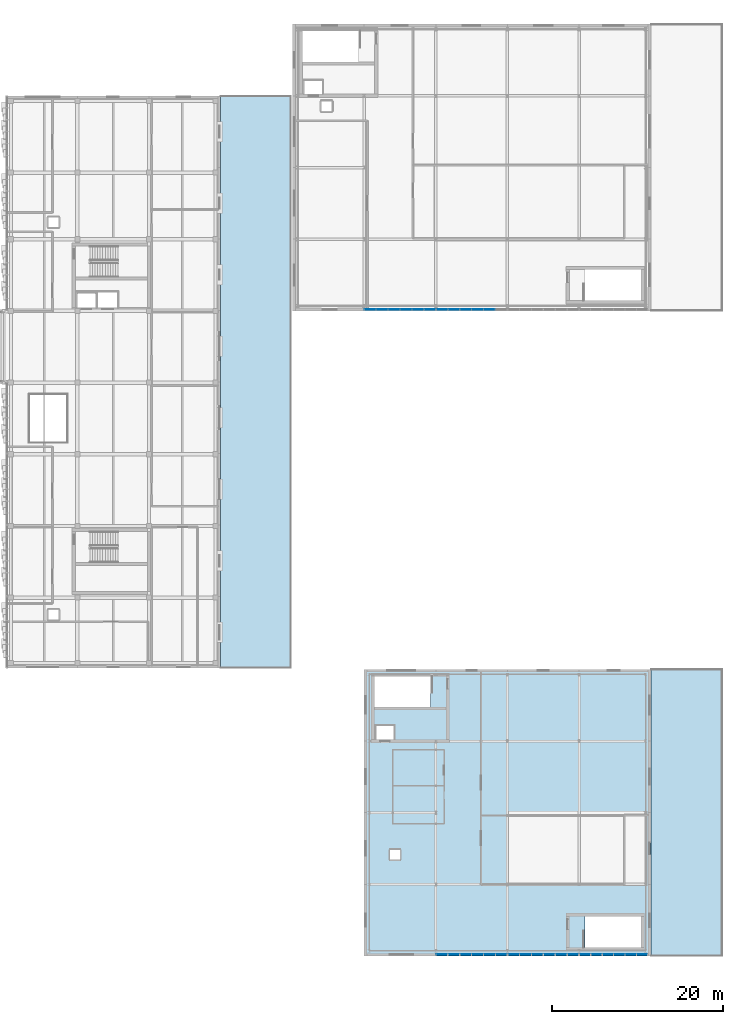
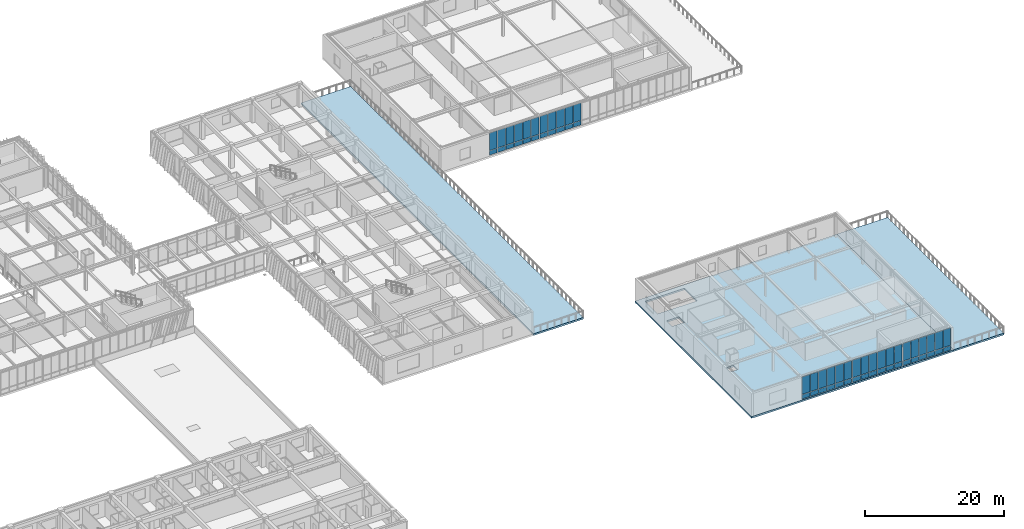
# One storey, part 93 of 127: 58 plates, 3 slabs, 5 elements without a shape of their own.
"""IFC4 building model written with IfcOpenShell, lengths in metres."""

import ifcopenshell
import ifcopenshell.guid

model = None  # the IFC model being written
_history = None  # IfcOwnerHistory: only IFC2X3 demands one
_inside = {}  # id of a spatial element -> (the spatial element, [elements in it])
_under = {}  # id of a project, library or spatial element -> (it, [spatial elements below it])
_declared = {}  # id of a project -> (the project, [libraries it declares])
_typed = {}  # id of a type object -> (the type object, [elements of that type])
_made_of = {}  # id of a material, layer set ... -> (it, [elements and type objects made of it])


def new_model(schema):
    """Start an empty IFC model of exactly this schema.

    Asked for "IFC4X3", IfcOpenShell would pick the latest addendum, in which some entities
    have other attributes; the version numbers below select the first issue.
    IFC2X3 requires an IfcOwnerHistory on every rooted entity: one is made here for all.
    """
    global model, _history
    if schema == "IFC4X3":
        model = ifcopenshell.file(schema_version=(4, 3, 0, 0))
    else:
        model = ifcopenshell.file(schema=schema)
    _inside.clear()
    _under.clear()
    _declared.clear()
    _typed.clear()
    _made_of.clear()
    _history = None
    if model.schema == "IFC2X3":
        org = make("IfcOrganization", Name="unknown")
        user = make(
            "IfcPersonAndOrganization",
            ThePerson=make("IfcPerson", FamilyName="unknown"),
            TheOrganization=org,
        )
        app = make(
            "IfcApplication",
            ApplicationDeveloper=org,
            Version="unknown",
            ApplicationFullName="unknown",
            ApplicationIdentifier="unknown",
        )
        _history = make(
            "IfcOwnerHistory",
            OwningUser=user,
            OwningApplication=app,
            ChangeAction="ADDED",
            CreationDate=0,
        )
    return model


def make(cls, **values):
    """One entity of the class cls with the attributes given. An attribute that is None is left unset."""
    return model.create_entity(
        cls, **{name: value for name, value in values.items() if value is not None}
    )


def rooted(cls, **values):
    """An entity with a GlobalId (a new one), such as an element, a storey or a relation."""
    return make(cls, GlobalId=ifcopenshell.guid.new(), OwnerHistory=_history, **values)


def si_unit(unit_type, name, prefix=None):
    """IfcSIUnit, for example si_unit("LENGTHUNIT", "METRE", prefix="MILLI")."""
    return make("IfcSIUnit", UnitType=unit_type, Prefix=prefix, Name=name)


def assignment(units):
    """IfcUnitAssignment: the units of a project."""
    return None if units is None else make("IfcUnitAssignment", Units=units)


def point(xyz):
    """IfcCartesianPoint."""
    return None if xyz is None else make("IfcCartesianPoint", Coordinates=xyz)


def direction(xyz):
    """IfcDirection."""
    return None if xyz is None else make("IfcDirection", DirectionRatios=xyz)


def frame(location, z_axis=None, x_axis=None):
    """IfcAxis2Placement3D, a coordinate frame: its origin and axes. An axis left out is left unset."""
    return make(
        "IfcAxis2Placement3D",
        Location=point(location),
        Axis=direction(z_axis),
        RefDirection=direction(x_axis),
    )


def frame_2d(location, x_axis=None):
    """IfcAxis2Placement2D, a coordinate frame in the plane: its origin and x axis."""
    return make(
        "IfcAxis2Placement2D", Location=point(location), RefDirection=direction(x_axis)
    )


def origin():
    """The frame at (0, 0, 0) with its axes left unset."""
    return frame((0.0, 0.0, 0.0))


def origin_2d():
    """The frame at (0, 0) in the plane with its x axis left unset."""
    return frame_2d((0.0, 0.0))


def place(relative_to, where):
    """IfcLocalPlacement: puts the frame where relative to a parent placement (None: the world)."""
    return make(
        "IfcLocalPlacement", PlacementRelTo=relative_to, RelativePlacement=where
    )


def context(
    kind, dimensions, precision=None, world=None, true_north=None, identifier=None
):
    """IfcGeometricRepresentationContext, for example the 3D "Model" context."""
    return make(
        "IfcGeometricRepresentationContext",
        ContextIdentifier=identifier,
        ContextType=kind,
        CoordinateSpaceDimension=dimensions,
        Precision=precision,
        WorldCoordinateSystem=world,
        TrueNorth=true_north,
    )


def subcontext(parent, identifier, kind, view, scale=None):
    """IfcGeometricRepresentationSubContext, for example "Body" below "Model"."""
    return make(
        "IfcGeometricRepresentationSubContext",
        ContextIdentifier=identifier,
        ContextType=kind,
        ParentContext=parent,
        TargetScale=scale,
        TargetView=view,
    )


def project(units=None, contexts=None):
    """IfcProject with its units and contexts."""
    return rooted(
        "IfcProject",
        Name="project",
        RepresentationContexts=contexts,
        UnitsInContext=assignment(units),
    )


def spatial(cls, under=None, at=None, **own):
    """A site, building, storey or space (cls), placed at a placement, below another one or the project."""
    s = rooted(cls, ObjectPlacement=at, **own)
    if under is not None:
        _under.setdefault(under.id(), (under, []))[1].append(s)
    return s


def polyline(points):
    """IfcPolyline through the points."""
    return make("IfcPolyline", Points=[point(p) for p in points])


def profile(cls, at=None, kind="AREA", **sizes):
    """A parametric profile (cls). Its sizes go by their IFC names, for example OverallWidth=200.0."""
    return make(cls, ProfileType=kind, Position=at, **sizes)


def rectangle(**sizes):
    """IfcRectangleProfileDef."""
    return profile("IfcRectangleProfileDef", **sizes)


def outline(outer, holes=None, kind="AREA"):
    """IfcArbitraryClosedProfileDef: a profile drawn as a closed curve; with holes, ...WithVoids."""
    if holes is None:
        return make("IfcArbitraryClosedProfileDef", ProfileType=kind, OuterCurve=outer)
    return make(
        "IfcArbitraryProfileDefWithVoids",
        ProfileType=kind,
        OuterCurve=outer,
        InnerCurves=holes,
    )


def extrude(swept, where, along, depth):
    """IfcExtrudedAreaSolid: the profile swept, set in the frame where, extruded along a direction by depth."""
    return make(
        "IfcExtrudedAreaSolid",
        SweptArea=swept,
        Position=where,
        ExtrudedDirection=direction(along),
        Depth=depth,
    )


def shape(context_of_items, identifier, shape_type, items):
    """IfcShapeRepresentation: the items that make up one representation, for example the "Body"."""
    return make(
        "IfcShapeRepresentation",
        ContextOfItems=context_of_items,
        RepresentationIdentifier=identifier,
        RepresentationType=shape_type,
        Items=items,
    )


def material(Name=None, Category=None):
    """IfcMaterial."""
    return make("IfcMaterial", Name=Name, Category=Category)


def layer(
    of_material, thickness, ventilated=None, Name=None, Category=None, Priority=None
):
    """IfcMaterialLayer: one layer of a wall or slab, of a material (None: an air gap)."""
    return make(
        "IfcMaterialLayer",
        Material=of_material,
        LayerThickness=thickness,
        IsVentilated=ventilated,
        Name=Name,
        Category=Category,
        Priority=Priority,
    )


def layer_set(layers, Name=None):
    """IfcMaterialLayerSet."""
    return make("IfcMaterialLayerSet", MaterialLayers=layers, LayerSetName=Name)


def made_of(thing, what):
    """Note that an element or type object is made of a material, layer set ...; save() writes the relation."""
    if what is not None:
        _made_of.setdefault(what.id(), (what, []))[1].append(thing)
    return thing


def type_object(cls, material=None, **own):
    """A type object (cls), such as IfcWallType, which elements share."""
    return made_of(rooted(cls, **own), material)


def element(
    cls,
    number,
    at=None,
    inside=None,
    cuts=None,
    type_object=None,
    material=None,
    context=None,
    identifier="Body",
    shape_type=None,
    held_by="IfcProductDefinitionShape",
    body=None,
    shapes=None,
    **own,
):
    """One element of the class cls, such as IfcWall. Its Tag is "e" and its number.

    at: its placement. inside: the storey or other place that contains it. cuts: it is an
    opening in that element (IfcRelVoidsElement). A single representation is given by context,
    identifier, shape_type and body (its items); several are given by shapes. held_by: the class
    of the entity that holds the representations. save() writes the other relations.
    """
    e = rooted(cls, Tag="e%d" % number, ObjectPlacement=at, **own)
    if body is not None:
        shapes = [shape(context, identifier, shape_type, body)]
    if shapes is not None:
        e.Representation = make(held_by, Representations=shapes)
    if inside is not None:
        _inside.setdefault(inside.id(), (inside, []))[1].append(e)
    if cuts is not None:
        rooted(
            "IfcRelVoidsElement", RelatingBuildingElement=cuts, RelatedOpeningElement=e
        )
    if type_object is not None:
        _typed.setdefault(type_object.id(), (type_object, []))[1].append(e)
    return made_of(e, material)


def aggregate(whole, parts):
    """IfcRelAggregates: a whole, such as a stair, and the parts it consists of."""
    return rooted("IfcRelAggregates", RelatingObject=whole, RelatedObjects=parts)


def save(model, path):
    """Write the relations noted so far, then the file.

    IfcRelAggregates (storeys below a building ...), IfcRelContainedInSpatialStructure (elements
    in a storey), IfcRelDefinesByType, IfcRelAssociatesMaterial and IfcRelDeclares: one each for
    every whole, place, type object, material and project.
    """
    for whole, parts in _under.values():
        aggregate(whole, parts)
    for where, things in _inside.values():
        rooted(
            "IfcRelContainedInSpatialStructure",
            RelatedElements=things,
            RelatingStructure=where,
        )
    for kind, things in _typed.values():
        rooted("IfcRelDefinesByType", RelatedObjects=things, RelatingType=kind)
    for what, things in _made_of.values():
        rooted("IfcRelAssociatesMaterial", RelatedObjects=things, RelatingMaterial=what)
    for by, libraries in _declared.values():
        rooted("IfcRelDeclares", RelatingContext=by, RelatedDefinitions=libraries)
    model.write(path)


model = new_model("IFC4")

# Units and contexts
model_context = context("Model", 3, precision=1e-05, world=origin(), true_north=direction((0.0, 1.0)))
body_context = subcontext(model_context, "Body", "Model", "MODEL_VIEW")
ifc_project = project(units=[si_unit("LENGTHUNIT", "METRE"), si_unit("AREAUNIT", "SQUARE_METRE"), si_unit("VOLUMEUNIT", "CUBIC_METRE"), si_unit("PLANEANGLEUNIT", "RADIAN"), si_unit("MASSUNIT", "GRAM", prefix="KILO")], contexts=[model_context])

# Site, building, storey
site_placement = place(None, origin())
site = spatial("IfcSite", under=ifc_project, at=site_placement, CompositionType="ELEMENT")
building_placement = place(site_placement, origin())
building = spatial("IfcBuilding", under=site, at=building_placement, Name="Zayran Congress Hotel", CompositionType="ELEMENT")
storey_placement = place(building_placement, frame((0.0, 0.0, 10.800048828125)))
storey = spatial("IfcBuildingStorey", under=building, at=storey_placement, Name="L02", CompositionType="ELEMENT", Elevation=10.800048828125)

# Slabs
ifc_material_1 = material(Name="Concrete C32/40", Category="concrete")
ifc_layer_1 = layer(ifc_material_1, 0.300048828125)
ifc_layer_set_1 = layer_set([ifc_layer_1], Name="Concrete C32/40")
slab_type_1 = type_object("IfcSlabType", Name="SL-FL-300", PredefinedType="FLOOR", material=ifc_layer_set_1)
slab_1_placement = place(storey_placement, frame((0.0, 0.0, -0.300048828125)))
element("IfcSlab", 1, at=slab_1_placement, inside=storey, type_object=slab_type_1, Name="SLB-V3-L02-015", PredefinedType="FLOOR", context=body_context, shape_type="SweptSolid", body=[
    extrude(outline(polyline([(151.199951171875, 8.800048828125), (184.800048828125, 8.800048828125), (184.800048828125, 42.39990234375), (151.199951171875, 42.39990234375), (151.199951171875, 8.800048828125)]), holes=[polyline([(152.39990234375, 37.9599609375), (158.9599609375, 37.9599609375), (158.9599609375, 41.60009765625), (152.39990234375, 41.60009765625), (152.39990234375, 37.9599609375)]), polyline([(152.60009765625, 34.199951171875), (154.699951171875, 34.199951171875), (154.699951171875, 35.800048828125), (152.60009765625, 35.800048828125), (152.60009765625, 34.199951171875)]), polyline([(177.090087890625, 9.800048828125), (183.64990234375, 9.800048828125), (183.64990234375, 13.43994140625), (177.090087890625, 13.43994140625), (177.090087890625, 9.800048828125)]), polyline([(154.199951171875, 20.10009765625), (155.419921875, 20.10009765625), (155.419921875, 21.280029296875), (154.199951171875, 21.280029296875), (154.199951171875, 20.10009765625)])]), origin(), (0.0, 0.0, 1.0), 0.300048828125),
])
ifc_layer_2 = layer(ifc_material_1, 0.300048828125)
ifc_layer_set_2 = layer_set([ifc_layer_2], Name="Concrete C32/40")
slab_type_2 = type_object("IfcSlabType", Name="SL-TR-300", PredefinedType="FLOOR", material=ifc_layer_set_2)
slab_2_placement = place(storey_placement, frame((0.0, 0.0, -0.300048828125)))
element("IfcSlab", 2, at=slab_2_placement, inside=storey, type_object=slab_type_2, Name="V3 L02 Planted Roof Terrace Slab 1", PredefinedType="FLOOR", context=body_context, shape_type="SweptSolid", body=[
    extrude(outline(polyline([(184.800048828125, 8.800048828125), (193.199951171875, 8.800048828125), (193.199951171875, 42.39990234375), (184.800048828125, 42.39990234375), (184.800048828125, 8.800048828125)])), origin(), (0.0, 0.0, 1.0), 0.300048828125),
])
slab_3_placement = place(storey_placement, frame((0.0, 0.0, -0.300048828125)))
element("IfcSlab", 3, at=slab_3_placement, inside=storey, type_object=slab_type_2, Name="V4 L02 Planted Roof Terrace Slab 1", PredefinedType="FLOOR", context=body_context, shape_type="SweptSolid", body=[
    extrude(outline(polyline([(134.39990234375, 42.550048828125), (142.64990234375, 42.550048828125), (142.64990234375, 109.60009765625), (134.39990234375, 109.60009765625), (134.39990234375, 42.550048828125)])), origin(), (0.0, 0.0, 1.0), 0.300048828125),
])

# Curtain wall, plates
ifc_material_2 = material(Name="Anodised aluminium and low-E insulated glass", Category="aluminium")
ifc_layer_3 = layer(ifc_material_2, 0.179931640625)
ifc_layer_set_3 = layer_set([ifc_layer_3], Name="Anodised aluminium and low-E insulated glass")
curtain_wall_type_1 = type_object("IfcCurtainWallType", Name="CW-V2S-L02-CW-V22-8395-4000", PredefinedType="USERDEFINED", material=ifc_layer_set_3)
curtain_wall_1_placement = place(storey_placement, origin())
curtain_wall_1 = element("IfcCurtainWall", 4, at=curtain_wall_1_placement, inside=storey, type_object=curtain_wall_type_1, Name="CW-V2S-L02-1", ObjectType="CURTAIN WALL", PredefinedType="USERDEFINED")
ifc_material_3 = material(Name="Insulated warm bronze aluminium spandrel panel", Category="aluminium")
ifc_layer_4 = layer(ifc_material_3, 0.06005859375)
ifc_layer_set_4 = layer_set([ifc_layer_4], Name="Insulated warm bronze aluminium spandrel panel")
plate_type_1 = type_object("IfcPlateType", Name="CWP-SP-1279-750", PredefinedType="CURTAIN_PANEL", material=ifc_layer_set_4)
plate_1_placement = place(storey_placement, frame((151.919677734375, 84.570068359375, 0.06005859375), z_axis=(0.0, 0.0, 1.0), x_axis=(1.0, 0.0, 0.0)))
plate_1 = element("IfcPlate", 5, at=plate_1_placement, type_object=plate_type_1, Name="CW-V22 Spandrel Panel 1", PredefinedType="CURTAIN_PANEL", context=body_context, shape_type="SweptSolid", body=[
    extrude(rectangle(XDim=1.279296875, YDim=0.06005859375, at=origin_2d()), origin(), (0.0, 0.0, 1.0), 0.75),
])
plate_2_placement = place(storey_placement, frame((153.298583984375, 84.570068359375, 0.06005859375), z_axis=(0.0, 0.0, 1.0), x_axis=(1.0, 0.0, 0.0)))
plate_2 = element("IfcPlate", 6, at=plate_2_placement, type_object=plate_type_1, Name="CW-V22 Spandrel Panel 2", PredefinedType="CURTAIN_PANEL", context=body_context, shape_type="SweptSolid", body=[
    extrude(rectangle(XDim=1.319091796875, YDim=0.06005859375, at=origin_2d()), origin(), (0.0, 0.0, 1.0), 0.75),
])
plate_3_placement = place(storey_placement, frame((154.697998046875, 84.570068359375, 0.06005859375), z_axis=(0.0, 0.0, 1.0), x_axis=(1.0, 0.0, 0.0)))
plate_3 = element("IfcPlate", 7, at=plate_3_placement, type_object=plate_type_1, Name="CW-V22 Spandrel Panel 3", PredefinedType="CURTAIN_PANEL", context=body_context, shape_type="SweptSolid", body=[
    extrude(rectangle(XDim=1.319091796875, YDim=0.06005859375, at=origin_2d()), origin(), (0.0, 0.0, 1.0), 0.75),
])
plate_4_placement = place(storey_placement, frame((156.09716796875, 84.570068359375, 0.06005859375), z_axis=(0.0, 0.0, 1.0), x_axis=(1.0, 0.0, 0.0)))
plate_4 = element("IfcPlate", 8, at=plate_4_placement, type_object=plate_type_1, Name="CW-V22 Spandrel Panel 4", PredefinedType="CURTAIN_PANEL", context=body_context, shape_type="SweptSolid", body=[
    extrude(rectangle(XDim=1.319091796875, YDim=0.06005859375, at=origin_2d()), origin(), (0.0, 0.0, 1.0), 0.75),
])
plate_5_placement = place(storey_placement, frame((157.496337890625, 84.570068359375, 0.06005859375), z_axis=(0.0, 0.0, 1.0), x_axis=(1.0, 0.0, 0.0)))
plate_5 = element("IfcPlate", 9, at=plate_5_placement, type_object=plate_type_1, Name="CW-V22 Spandrel Panel 5", PredefinedType="CURTAIN_PANEL", context=body_context, shape_type="SweptSolid", body=[
    extrude(rectangle(XDim=1.319091796875, YDim=0.06005859375, at=origin_2d()), origin(), (0.0, 0.0, 1.0), 0.75),
])
plate_6_placement = place(storey_placement, frame((158.87548828125, 84.570068359375, 0.06005859375), z_axis=(0.0, 0.0, 1.0), x_axis=(1.0, 0.0, 0.0)))
plate_6 = element("IfcPlate", 10, at=plate_6_placement, type_object=plate_type_1, Name="CW-V22 Spandrel Panel 6", PredefinedType="CURTAIN_PANEL", context=body_context, shape_type="SweptSolid", body=[
    extrude(rectangle(XDim=1.279296875, YDim=0.06005859375, at=origin_2d()), origin(), (0.0, 0.0, 1.0), 0.75),
])

ifc_layer_5 = layer(ifc_material_2, 0.179931640625)
ifc_layer_set_5 = layer_set([ifc_layer_5], Name="Anodised aluminium and low-E insulated glass")
curtain_wall_type_2 = type_object("IfcCurtainWallType", Name="CW-V3S-L02-CW-V32-8395-4000", PredefinedType="USERDEFINED", material=ifc_layer_set_5)
curtain_wall_2_placement = place(storey_placement, origin())
curtain_wall_2 = element("IfcCurtainWall", 11, at=curtain_wall_2_placement, inside=storey, type_object=curtain_wall_type_2, Name="CW-V3S-L02-1", ObjectType="CURTAIN WALL", PredefinedType="USERDEFINED")
plate_7_placement = place(storey_placement, frame((160.319580078125, 8.9599609375, 0.06005859375), z_axis=(0.0, 0.0, 1.0), x_axis=(1.0, 0.0, 0.0)))
plate_7 = element("IfcPlate", 12, at=plate_7_placement, type_object=plate_type_1, Name="CW-V32 Spandrel Panel 1", PredefinedType="CURTAIN_PANEL", context=body_context, shape_type="SweptSolid", body=[
    extrude(rectangle(XDim=1.279296875, YDim=0.06005859375, at=origin_2d()), origin(), (0.0, 0.0, 1.0), 0.75),
])
plate_8_placement = place(storey_placement, frame((161.69873046875, 8.9599609375, 0.06005859375), z_axis=(0.0, 0.0, 1.0), x_axis=(1.0, 0.0, 0.0)))
plate_8 = element("IfcPlate", 13, at=plate_8_placement, type_object=plate_type_1, Name="CW-V32 Spandrel Panel 2", PredefinedType="CURTAIN_PANEL", context=body_context, shape_type="SweptSolid", body=[
    extrude(rectangle(XDim=1.319091796875, YDim=0.06005859375, at=origin_2d()), origin(), (0.0, 0.0, 1.0), 0.75),
])
plate_9_placement = place(storey_placement, frame((163.097900390625, 8.9599609375, 0.06005859375), z_axis=(0.0, 0.0, 1.0), x_axis=(1.0, 0.0, 0.0)))
plate_9 = element("IfcPlate", 14, at=plate_9_placement, type_object=plate_type_1, Name="CW-V32 Spandrel Panel 3", PredefinedType="CURTAIN_PANEL", context=body_context, shape_type="SweptSolid", body=[
    extrude(rectangle(XDim=1.319091796875, YDim=0.06005859375, at=origin_2d()), origin(), (0.0, 0.0, 1.0), 0.75),
])
plate_10_placement = place(storey_placement, frame((164.4970703125, 8.9599609375, 0.06005859375), z_axis=(0.0, 0.0, 1.0), x_axis=(1.0, 0.0, 0.0)))
plate_10 = element("IfcPlate", 15, at=plate_10_placement, type_object=plate_type_1, Name="CW-V32 Spandrel Panel 4", PredefinedType="CURTAIN_PANEL", context=body_context, shape_type="SweptSolid", body=[
    extrude(rectangle(XDim=1.319091796875, YDim=0.06005859375, at=origin_2d()), origin(), (0.0, 0.0, 1.0), 0.75),
])
plate_11_placement = place(storey_placement, frame((165.896240234375, 8.9599609375, 0.06005859375), z_axis=(0.0, 0.0, 1.0), x_axis=(1.0, 0.0, 0.0)))
plate_11 = element("IfcPlate", 16, at=plate_11_placement, type_object=plate_type_1, Name="CW-V32 Spandrel Panel 5", PredefinedType="CURTAIN_PANEL", context=body_context, shape_type="SweptSolid", body=[
    extrude(rectangle(XDim=1.319091796875, YDim=0.06005859375, at=origin_2d()), origin(), (0.0, 0.0, 1.0), 0.75),
])
plate_12_placement = place(storey_placement, frame((167.275390625, 8.9599609375, 0.06005859375), z_axis=(0.0, 0.0, 1.0), x_axis=(1.0, 0.0, 0.0)))
plate_12 = element("IfcPlate", 17, at=plate_12_placement, type_object=plate_type_1, Name="CW-V32 Spandrel Panel 6", PredefinedType="CURTAIN_PANEL", context=body_context, shape_type="SweptSolid", body=[
    extrude(rectangle(XDim=1.279296875, YDim=0.06005859375, at=origin_2d()), origin(), (0.0, 0.0, 1.0), 0.75),
])

ifc_layer_6 = layer(ifc_material_2, 0.179931640625)
ifc_layer_set_6 = layer_set([ifc_layer_6], Name="Anodised aluminium and low-E insulated glass")
curtain_wall_type_3 = type_object("IfcCurtainWallType", Name="CW-V2S-L02-CW-V21-8390-4000", PredefinedType="USERDEFINED", material=ifc_layer_set_6)
curtain_wall_3_placement = place(storey_placement, origin())
curtain_wall_3 = element("IfcCurtainWall", 18, at=curtain_wall_3_placement, inside=storey, type_object=curtain_wall_type_3, Name="CW-V2S-L02-2", ObjectType="CURTAIN WALL", PredefinedType="USERDEFINED")
ifc_layer_7 = layer(ifc_material_3, 0.06005859375)
ifc_layer_set_7 = layer_set([ifc_layer_7], Name="Insulated warm bronze aluminium spandrel panel")
plate_type_2 = type_object("IfcPlateType", Name="CWP-SP-1278-750", PredefinedType="CURTAIN_PANEL", material=ifc_layer_set_7)
plate_13_placement = place(storey_placement, frame((160.32421875, 84.570068359375, 0.06005859375), z_axis=(0.0, 0.0, 1.0), x_axis=(1.0, 0.0, 0.0)))
plate_13 = element("IfcPlate", 19, at=plate_13_placement, type_object=plate_type_2, Name="CW-V21 Spandrel Panel 1", PredefinedType="CURTAIN_PANEL", context=body_context, shape_type="SweptSolid", body=[
    extrude(rectangle(XDim=1.2783203125, YDim=0.06005859375, at=origin_2d()), origin(), (0.0, 0.0, 1.0), 0.75),
])
plate_14_placement = place(storey_placement, frame((161.702392578125, 84.570068359375, 0.06005859375), z_axis=(0.0, 0.0, 1.0), x_axis=(1.0, 0.0, 0.0)))
plate_14 = element("IfcPlate", 20, at=plate_14_placement, type_object=plate_type_2, Name="CW-V21 Spandrel Panel 2", PredefinedType="CURTAIN_PANEL", context=body_context, shape_type="SweptSolid", body=[
    extrude(rectangle(XDim=1.318359375, YDim=0.06005859375, at=origin_2d()), origin(), (0.0, 0.0, 1.0), 0.75),
])
plate_15_placement = place(storey_placement, frame((163.100830078125, 84.570068359375, 0.06005859375), z_axis=(0.0, 0.0, 1.0), x_axis=(1.0, 0.0, 0.0)))
plate_15 = element("IfcPlate", 21, at=plate_15_placement, type_object=plate_type_2, Name="CW-V21 Spandrel Panel 3", PredefinedType="CURTAIN_PANEL", context=body_context, shape_type="SweptSolid", body=[
    extrude(rectangle(XDim=1.318359375, YDim=0.06005859375, at=origin_2d()), origin(), (0.0, 0.0, 1.0), 0.75),
])
plate_16_placement = place(storey_placement, frame((164.499267578125, 84.570068359375, 0.06005859375), z_axis=(0.0, 0.0, 1.0), x_axis=(1.0, 0.0, 0.0)))
plate_16 = element("IfcPlate", 22, at=plate_16_placement, type_object=plate_type_2, Name="CW-V21 Spandrel Panel 4", PredefinedType="CURTAIN_PANEL", context=body_context, shape_type="SweptSolid", body=[
    extrude(rectangle(XDim=1.318359375, YDim=0.06005859375, at=origin_2d()), origin(), (0.0, 0.0, 1.0), 0.75),
])
plate_17_placement = place(storey_placement, frame((165.8974609375, 84.570068359375, 0.06005859375), z_axis=(0.0, 0.0, 1.0), x_axis=(1.0, 0.0, 0.0)))
plate_17 = element("IfcPlate", 23, at=plate_17_placement, type_object=plate_type_2, Name="CW-V21 Spandrel Panel 5", PredefinedType="CURTAIN_PANEL", context=body_context, shape_type="SweptSolid", body=[
    extrude(rectangle(XDim=1.318359375, YDim=0.06005859375, at=origin_2d()), origin(), (0.0, 0.0, 1.0), 0.75),
])

ifc_layer_8 = layer(ifc_material_2, 0.179931640625)
ifc_layer_set_8 = layer_set([ifc_layer_8], Name="Anodised aluminium and low-E insulated glass")
curtain_wall_type_4 = type_object("IfcCurtainWallType", Name="CW-V3S-L02-CW-V31-8390-4000", PredefinedType="USERDEFINED", material=ifc_layer_set_8)
curtain_wall_4_placement = place(storey_placement, origin())
curtain_wall_4 = element("IfcCurtainWall", 24, at=curtain_wall_4_placement, inside=storey, type_object=curtain_wall_type_4, Name="CW-V3S-L02-2", ObjectType="CURTAIN WALL", PredefinedType="USERDEFINED")
plate_18_placement = place(storey_placement, frame((168.72412109375, 8.9599609375, 0.06005859375), z_axis=(0.0, 0.0, 1.0), x_axis=(1.0, 0.0, 0.0)))
plate_18 = element("IfcPlate", 25, at=plate_18_placement, type_object=plate_type_2, Name="CW-V31 Spandrel Panel 1", PredefinedType="CURTAIN_PANEL", context=body_context, shape_type="SweptSolid", body=[
    extrude(rectangle(XDim=1.2783203125, YDim=0.06005859375, at=origin_2d()), origin(), (0.0, 0.0, 1.0), 0.75),
])
plate_19_placement = place(storey_placement, frame((170.1025390625, 8.9599609375, 0.06005859375), z_axis=(0.0, 0.0, 1.0), x_axis=(1.0, 0.0, 0.0)))
plate_19 = element("IfcPlate", 26, at=plate_19_placement, type_object=plate_type_2, Name="CW-V31 Spandrel Panel 2", PredefinedType="CURTAIN_PANEL", context=body_context, shape_type="SweptSolid", body=[
    extrude(rectangle(XDim=1.318359375, YDim=0.06005859375, at=origin_2d()), origin(), (0.0, 0.0, 1.0), 0.75),
])
plate_20_placement = place(storey_placement, frame((171.500732421875, 8.9599609375, 0.06005859375), z_axis=(0.0, 0.0, 1.0), x_axis=(1.0, 0.0, 0.0)))
plate_20 = element("IfcPlate", 27, at=plate_20_placement, type_object=plate_type_2, Name="CW-V31 Spandrel Panel 3", PredefinedType="CURTAIN_PANEL", context=body_context, shape_type="SweptSolid", body=[
    extrude(rectangle(XDim=1.318359375, YDim=0.06005859375, at=origin_2d()), origin(), (0.0, 0.0, 1.0), 0.75),
])
plate_21_placement = place(storey_placement, frame((172.899169921875, 8.9599609375, 0.06005859375), z_axis=(0.0, 0.0, 1.0), x_axis=(1.0, 0.0, 0.0)))
plate_21 = element("IfcPlate", 28, at=plate_21_placement, type_object=plate_type_2, Name="CW-V31 Spandrel Panel 4", PredefinedType="CURTAIN_PANEL", context=body_context, shape_type="SweptSolid", body=[
    extrude(rectangle(XDim=1.318359375, YDim=0.06005859375, at=origin_2d()), origin(), (0.0, 0.0, 1.0), 0.75),
])
plate_22_placement = place(storey_placement, frame((174.297607421875, 8.9599609375, 0.06005859375), z_axis=(0.0, 0.0, 1.0), x_axis=(1.0, 0.0, 0.0)))
plate_22 = element("IfcPlate", 29, at=plate_22_placement, type_object=plate_type_2, Name="CW-V31 Spandrel Panel 5", PredefinedType="CURTAIN_PANEL", context=body_context, shape_type="SweptSolid", body=[
    extrude(rectangle(XDim=1.318359375, YDim=0.06005859375, at=origin_2d()), origin(), (0.0, 0.0, 1.0), 0.75),
])
plate_23_placement = place(storey_placement, frame((175.67578125, 8.9599609375, 0.06005859375), z_axis=(0.0, 0.0, 1.0), x_axis=(1.0, 0.0, 0.0)))
plate_23 = element("IfcPlate", 30, at=plate_23_placement, type_object=plate_type_2, Name="CW-V31 Spandrel Panel 6", PredefinedType="CURTAIN_PANEL", context=body_context, shape_type="SweptSolid", body=[
    extrude(rectangle(XDim=1.2783203125, YDim=0.06005859375, at=origin_2d()), origin(), (0.0, 0.0, 1.0), 0.75),
])

# Plate
ifc_layer_9 = layer(ifc_material_2, 0.028076171875)
ifc_layer_set_9 = layer_set([ifc_layer_9], Name="Anodised aluminium and low-E insulated glass")
plate_type_3 = type_object("IfcPlateType", Name="CWP-GL-1279-3070", PredefinedType="CURTAIN_PANEL", material=ifc_layer_set_9)
plate_24_placement = place(storey_placement, frame((151.919677734375, 84.570068359375, 0.8701171875), z_axis=(0.0, 0.0, 1.0), x_axis=(1.0, 0.0, 0.0)))
plate_24 = element("IfcPlate", 31, at=plate_24_placement, type_object=plate_type_3, Name="CW-V22 Glazed Panel 1", PredefinedType="CURTAIN_PANEL", context=body_context, shape_type="SweptSolid", body=[
    extrude(rectangle(XDim=1.279296875, YDim=0.028076171875, at=origin_2d()), origin(), (0.0, 0.0, 1.0), 3.070068359375),
])

plate_25_placement = place(storey_placement, frame((153.298583984375, 84.570068359375, 0.8701171875), z_axis=(0.0, 0.0, 1.0), x_axis=(1.0, 0.0, 0.0)))
plate_25 = element("IfcPlate", 32, at=plate_25_placement, type_object=plate_type_3, Name="CW-V22 Glazed Panel 2", PredefinedType="CURTAIN_PANEL", context=body_context, shape_type="SweptSolid", body=[
    extrude(rectangle(XDim=1.319091796875, YDim=0.028076171875, at=origin_2d()), origin(), (0.0, 0.0, 1.0), 3.070068359375),
])

plate_26_placement = place(storey_placement, frame((154.697998046875, 84.570068359375, 0.8701171875), z_axis=(0.0, 0.0, 1.0), x_axis=(1.0, 0.0, 0.0)))
plate_26 = element("IfcPlate", 33, at=plate_26_placement, type_object=plate_type_3, Name="CW-V22 Glazed Panel 3", PredefinedType="CURTAIN_PANEL", context=body_context, shape_type="SweptSolid", body=[
    extrude(rectangle(XDim=1.319091796875, YDim=0.028076171875, at=origin_2d()), origin(), (0.0, 0.0, 1.0), 3.070068359375),
])

plate_27_placement = place(storey_placement, frame((156.09716796875, 84.570068359375, 0.8701171875), z_axis=(0.0, 0.0, 1.0), x_axis=(1.0, 0.0, 0.0)))
plate_27 = element("IfcPlate", 34, at=plate_27_placement, type_object=plate_type_3, Name="CW-V22 Glazed Panel 4", PredefinedType="CURTAIN_PANEL", context=body_context, shape_type="SweptSolid", body=[
    extrude(rectangle(XDim=1.319091796875, YDim=0.028076171875, at=origin_2d()), origin(), (0.0, 0.0, 1.0), 3.070068359375),
])

plate_28_placement = place(storey_placement, frame((157.496337890625, 84.570068359375, 0.8701171875), z_axis=(0.0, 0.0, 1.0), x_axis=(1.0, 0.0, 0.0)))
plate_28 = element("IfcPlate", 35, at=plate_28_placement, type_object=plate_type_3, Name="CW-V22 Glazed Panel 5", PredefinedType="CURTAIN_PANEL", context=body_context, shape_type="SweptSolid", body=[
    extrude(rectangle(XDim=1.319091796875, YDim=0.028076171875, at=origin_2d()), origin(), (0.0, 0.0, 1.0), 3.070068359375),
])

plate_29_placement = place(storey_placement, frame((158.87548828125, 84.570068359375, 0.8701171875), z_axis=(0.0, 0.0, 1.0), x_axis=(1.0, 0.0, 0.0)))
plate_29 = element("IfcPlate", 36, at=plate_29_placement, type_object=plate_type_3, Name="CW-V22 Glazed Panel 6", PredefinedType="CURTAIN_PANEL", context=body_context, shape_type="SweptSolid", body=[
    extrude(rectangle(XDim=1.279296875, YDim=0.028076171875, at=origin_2d()), origin(), (0.0, 0.0, 1.0), 3.070068359375),
])

aggregate(curtain_wall_1, [plate_1, plate_24, plate_2, plate_25, plate_3, plate_26, plate_4, plate_27, plate_5, plate_28, plate_6, plate_29])

plate_30_placement = place(storey_placement, frame((160.319580078125, 8.9599609375, 0.8701171875), z_axis=(0.0, 0.0, 1.0), x_axis=(1.0, 0.0, 0.0)))
plate_30 = element("IfcPlate", 37, at=plate_30_placement, type_object=plate_type_3, Name="CW-V32 Glazed Panel 1", PredefinedType="CURTAIN_PANEL", context=body_context, shape_type="SweptSolid", body=[
    extrude(rectangle(XDim=1.279296875, YDim=0.028076171875, at=origin_2d()), origin(), (0.0, 0.0, 1.0), 3.070068359375),
])

plate_31_placement = place(storey_placement, frame((161.69873046875, 8.9599609375, 0.8701171875), z_axis=(0.0, 0.0, 1.0), x_axis=(1.0, 0.0, 0.0)))
plate_31 = element("IfcPlate", 38, at=plate_31_placement, type_object=plate_type_3, Name="CW-V32 Glazed Panel 2", PredefinedType="CURTAIN_PANEL", context=body_context, shape_type="SweptSolid", body=[
    extrude(rectangle(XDim=1.319091796875, YDim=0.028076171875, at=origin_2d()), origin(), (0.0, 0.0, 1.0), 3.070068359375),
])

plate_32_placement = place(storey_placement, frame((163.097900390625, 8.9599609375, 0.8701171875), z_axis=(0.0, 0.0, 1.0), x_axis=(1.0, 0.0, 0.0)))
plate_32 = element("IfcPlate", 39, at=plate_32_placement, type_object=plate_type_3, Name="CW-V32 Glazed Panel 3", PredefinedType="CURTAIN_PANEL", context=body_context, shape_type="SweptSolid", body=[
    extrude(rectangle(XDim=1.319091796875, YDim=0.028076171875, at=origin_2d()), origin(), (0.0, 0.0, 1.0), 3.070068359375),
])

plate_33_placement = place(storey_placement, frame((164.4970703125, 8.9599609375, 0.8701171875), z_axis=(0.0, 0.0, 1.0), x_axis=(1.0, 0.0, 0.0)))
plate_33 = element("IfcPlate", 40, at=plate_33_placement, type_object=plate_type_3, Name="CW-V32 Glazed Panel 4", PredefinedType="CURTAIN_PANEL", context=body_context, shape_type="SweptSolid", body=[
    extrude(rectangle(XDim=1.319091796875, YDim=0.028076171875, at=origin_2d()), origin(), (0.0, 0.0, 1.0), 3.070068359375),
])

plate_34_placement = place(storey_placement, frame((165.896240234375, 8.9599609375, 0.8701171875), z_axis=(0.0, 0.0, 1.0), x_axis=(1.0, 0.0, 0.0)))
plate_34 = element("IfcPlate", 41, at=plate_34_placement, type_object=plate_type_3, Name="CW-V32 Glazed Panel 5", PredefinedType="CURTAIN_PANEL", context=body_context, shape_type="SweptSolid", body=[
    extrude(rectangle(XDim=1.319091796875, YDim=0.028076171875, at=origin_2d()), origin(), (0.0, 0.0, 1.0), 3.070068359375),
])

plate_35_placement = place(storey_placement, frame((167.275390625, 8.9599609375, 0.8701171875), z_axis=(0.0, 0.0, 1.0), x_axis=(1.0, 0.0, 0.0)))
plate_35 = element("IfcPlate", 42, at=plate_35_placement, type_object=plate_type_3, Name="CW-V32 Glazed Panel 6", PredefinedType="CURTAIN_PANEL", context=body_context, shape_type="SweptSolid", body=[
    extrude(rectangle(XDim=1.279296875, YDim=0.028076171875, at=origin_2d()), origin(), (0.0, 0.0, 1.0), 3.070068359375),
])

aggregate(curtain_wall_2, [plate_7, plate_30, plate_8, plate_31, plate_9, plate_32, plate_10, plate_33, plate_11, plate_34, plate_12, plate_35])

ifc_layer_10 = layer(ifc_material_2, 0.028076171875)
ifc_layer_set_10 = layer_set([ifc_layer_10], Name="Anodised aluminium and low-E insulated glass")
plate_type_4 = type_object("IfcPlateType", Name="CWP-GL-1278-3070", PredefinedType="CURTAIN_PANEL", material=ifc_layer_set_10)
plate_36_placement = place(storey_placement, frame((160.32421875, 84.570068359375, 0.8701171875), z_axis=(0.0, 0.0, 1.0), x_axis=(1.0, 0.0, 0.0)))
plate_36 = element("IfcPlate", 43, at=plate_36_placement, type_object=plate_type_4, Name="CW-V21 Glazed Panel 1", PredefinedType="CURTAIN_PANEL", context=body_context, shape_type="SweptSolid", body=[
    extrude(rectangle(XDim=1.2783203125, YDim=0.028076171875, at=origin_2d()), origin(), (0.0, 0.0, 1.0), 3.070068359375),
])

plate_37_placement = place(storey_placement, frame((161.702392578125, 84.570068359375, 0.8701171875), z_axis=(0.0, 0.0, 1.0), x_axis=(1.0, 0.0, 0.0)))
plate_37 = element("IfcPlate", 44, at=plate_37_placement, type_object=plate_type_4, Name="CW-V21 Glazed Panel 2", PredefinedType="CURTAIN_PANEL", context=body_context, shape_type="SweptSolid", body=[
    extrude(rectangle(XDim=1.318359375, YDim=0.028076171875, at=origin_2d()), origin(), (0.0, 0.0, 1.0), 3.070068359375),
])

plate_38_placement = place(storey_placement, frame((163.100830078125, 84.570068359375, 0.8701171875), z_axis=(0.0, 0.0, 1.0), x_axis=(1.0, 0.0, 0.0)))
plate_38 = element("IfcPlate", 45, at=plate_38_placement, type_object=plate_type_4, Name="CW-V21 Glazed Panel 3", PredefinedType="CURTAIN_PANEL", context=body_context, shape_type="SweptSolid", body=[
    extrude(rectangle(XDim=1.318359375, YDim=0.028076171875, at=origin_2d()), origin(), (0.0, 0.0, 1.0), 3.070068359375),
])

plate_39_placement = place(storey_placement, frame((164.499267578125, 84.570068359375, 0.8701171875), z_axis=(0.0, 0.0, 1.0), x_axis=(1.0, 0.0, 0.0)))
plate_39 = element("IfcPlate", 46, at=plate_39_placement, type_object=plate_type_4, Name="CW-V21 Glazed Panel 4", PredefinedType="CURTAIN_PANEL", context=body_context, shape_type="SweptSolid", body=[
    extrude(rectangle(XDim=1.318359375, YDim=0.028076171875, at=origin_2d()), origin(), (0.0, 0.0, 1.0), 3.070068359375),
])

plate_40_placement = place(storey_placement, frame((165.8974609375, 84.570068359375, 0.8701171875), z_axis=(0.0, 0.0, 1.0), x_axis=(1.0, 0.0, 0.0)))
plate_40 = element("IfcPlate", 47, at=plate_40_placement, type_object=plate_type_4, Name="CW-V21 Glazed Panel 5", PredefinedType="CURTAIN_PANEL", context=body_context, shape_type="SweptSolid", body=[
    extrude(rectangle(XDim=1.318359375, YDim=0.028076171875, at=origin_2d()), origin(), (0.0, 0.0, 1.0), 3.070068359375),
])

aggregate(curtain_wall_3, [plate_13, plate_36, plate_14, plate_37, plate_15, plate_38, plate_16, plate_39, plate_17, plate_40])

plate_41_placement = place(storey_placement, frame((168.72412109375, 8.9599609375, 0.8701171875), z_axis=(0.0, 0.0, 1.0), x_axis=(1.0, 0.0, 0.0)))
plate_41 = element("IfcPlate", 48, at=plate_41_placement, type_object=plate_type_4, Name="CW-V31 Glazed Panel 1", PredefinedType="CURTAIN_PANEL", context=body_context, shape_type="SweptSolid", body=[
    extrude(rectangle(XDim=1.2783203125, YDim=0.028076171875, at=origin_2d()), origin(), (0.0, 0.0, 1.0), 3.070068359375),
])

plate_42_placement = place(storey_placement, frame((170.1025390625, 8.9599609375, 0.8701171875), z_axis=(0.0, 0.0, 1.0), x_axis=(1.0, 0.0, 0.0)))
plate_42 = element("IfcPlate", 49, at=plate_42_placement, type_object=plate_type_4, Name="CW-V31 Glazed Panel 2", PredefinedType="CURTAIN_PANEL", context=body_context, shape_type="SweptSolid", body=[
    extrude(rectangle(XDim=1.318359375, YDim=0.028076171875, at=origin_2d()), origin(), (0.0, 0.0, 1.0), 3.070068359375),
])

plate_43_placement = place(storey_placement, frame((171.500732421875, 8.9599609375, 0.8701171875), z_axis=(0.0, 0.0, 1.0), x_axis=(1.0, 0.0, 0.0)))
plate_43 = element("IfcPlate", 50, at=plate_43_placement, type_object=plate_type_4, Name="CW-V31 Glazed Panel 3", PredefinedType="CURTAIN_PANEL", context=body_context, shape_type="SweptSolid", body=[
    extrude(rectangle(XDim=1.318359375, YDim=0.028076171875, at=origin_2d()), origin(), (0.0, 0.0, 1.0), 3.070068359375),
])

plate_44_placement = place(storey_placement, frame((172.899169921875, 8.9599609375, 0.8701171875), z_axis=(0.0, 0.0, 1.0), x_axis=(1.0, 0.0, 0.0)))
plate_44 = element("IfcPlate", 51, at=plate_44_placement, type_object=plate_type_4, Name="CW-V31 Glazed Panel 4", PredefinedType="CURTAIN_PANEL", context=body_context, shape_type="SweptSolid", body=[
    extrude(rectangle(XDim=1.318359375, YDim=0.028076171875, at=origin_2d()), origin(), (0.0, 0.0, 1.0), 3.070068359375),
])

plate_45_placement = place(storey_placement, frame((174.297607421875, 8.9599609375, 0.8701171875), z_axis=(0.0, 0.0, 1.0), x_axis=(1.0, 0.0, 0.0)))
plate_45 = element("IfcPlate", 52, at=plate_45_placement, type_object=plate_type_4, Name="CW-V31 Glazed Panel 5", PredefinedType="CURTAIN_PANEL", context=body_context, shape_type="SweptSolid", body=[
    extrude(rectangle(XDim=1.318359375, YDim=0.028076171875, at=origin_2d()), origin(), (0.0, 0.0, 1.0), 3.070068359375),
])

plate_46_placement = place(storey_placement, frame((175.67578125, 8.9599609375, 0.8701171875), z_axis=(0.0, 0.0, 1.0), x_axis=(1.0, 0.0, 0.0)))
plate_46 = element("IfcPlate", 53, at=plate_46_placement, type_object=plate_type_4, Name="CW-V31 Glazed Panel 6", PredefinedType="CURTAIN_PANEL", context=body_context, shape_type="SweptSolid", body=[
    extrude(rectangle(XDim=1.2783203125, YDim=0.028076171875, at=origin_2d()), origin(), (0.0, 0.0, 1.0), 3.070068359375),
])

aggregate(curtain_wall_4, [plate_18, plate_41, plate_19, plate_42, plate_20, plate_43, plate_21, plate_44, plate_22, plate_45, plate_23, plate_46])

# Curtain wall, plates
ifc_layer_11 = layer(ifc_material_2, 0.179931640625)
ifc_layer_set_11 = layer_set([ifc_layer_11], Name="Anodised aluminium and low-E insulated glass")
curtain_wall_type_5 = type_object("IfcCurtainWallType", Name="CW-V3S-L02-CW-V32-8075-4000", PredefinedType="USERDEFINED", material=ifc_layer_set_11)
curtain_wall_5_placement = place(storey_placement, origin())
curtain_wall_5 = element("IfcCurtainWall", 54, at=curtain_wall_5_placement, inside=storey, type_object=curtain_wall_type_5, Name="CW-V3S-L02-3", ObjectType="CURTAIN WALL", PredefinedType="USERDEFINED")
ifc_layer_12 = layer(ifc_material_2, 0.028076171875)
ifc_layer_set_12 = layer_set([ifc_layer_12], Name="Anodised aluminium and low-E insulated glass")
plate_type_5 = type_object("IfcPlateType", Name="CWP-GL-1226-3070", PredefinedType="CURTAIN_PANEL", material=ifc_layer_set_12)
plate_47_placement = place(storey_placement, frame((177.097900390625, 8.9599609375, 0.8701171875), z_axis=(0.0, 0.0, 1.0), x_axis=(1.0, 0.0, 0.0)))
plate_47 = element("IfcPlate", 55, at=plate_47_placement, type_object=plate_type_5, Name="CW-V32 Glazed Panel 1", PredefinedType="CURTAIN_PANEL", context=body_context, shape_type="SweptSolid", body=[
    extrude(rectangle(XDim=1.225830078125, YDim=0.028076171875, at=origin_2d()), origin(), (0.0, 0.0, 1.0), 3.070068359375),
])
plate_48_placement = place(storey_placement, frame((178.423583984375, 8.9599609375, 0.8701171875), z_axis=(0.0, 0.0, 1.0), x_axis=(1.0, 0.0, 0.0)))
plate_48 = element("IfcPlate", 56, at=plate_48_placement, type_object=plate_type_5, Name="CW-V32 Glazed Panel 2", PredefinedType="CURTAIN_PANEL", context=body_context, shape_type="SweptSolid", body=[
    extrude(rectangle(XDim=1.265869140625, YDim=0.028076171875, at=origin_2d()), origin(), (0.0, 0.0, 1.0), 3.070068359375),
])
plate_49_placement = place(storey_placement, frame((179.76953125, 8.9599609375, 0.8701171875), z_axis=(0.0, 0.0, 1.0), x_axis=(1.0, 0.0, 0.0)))
plate_49 = element("IfcPlate", 57, at=plate_49_placement, type_object=plate_type_5, Name="CW-V32 Glazed Panel 3", PredefinedType="CURTAIN_PANEL", context=body_context, shape_type="SweptSolid", body=[
    extrude(rectangle(XDim=1.265869140625, YDim=0.028076171875, at=origin_2d()), origin(), (0.0, 0.0, 1.0), 3.070068359375),
])
plate_50_placement = place(storey_placement, frame((181.115478515625, 8.9599609375, 0.8701171875), z_axis=(0.0, 0.0, 1.0), x_axis=(1.0, 0.0, 0.0)))
plate_50 = element("IfcPlate", 58, at=plate_50_placement, type_object=plate_type_5, Name="CW-V32 Glazed Panel 4", PredefinedType="CURTAIN_PANEL", context=body_context, shape_type="SweptSolid", body=[
    extrude(rectangle(XDim=1.265869140625, YDim=0.028076171875, at=origin_2d()), origin(), (0.0, 0.0, 1.0), 3.070068359375),
])
plate_51_placement = place(storey_placement, frame((182.461181640625, 8.9599609375, 0.8701171875), z_axis=(0.0, 0.0, 1.0), x_axis=(1.0, 0.0, 0.0)))
plate_51 = element("IfcPlate", 59, at=plate_51_placement, type_object=plate_type_5, Name="CW-V32 Glazed Panel 5", PredefinedType="CURTAIN_PANEL", context=body_context, shape_type="SweptSolid", body=[
    extrude(rectangle(XDim=1.265869140625, YDim=0.028076171875, at=origin_2d()), origin(), (0.0, 0.0, 1.0), 3.070068359375),
])
plate_52_placement = place(storey_placement, frame((183.787109375, 8.9599609375, 0.8701171875), z_axis=(0.0, 0.0, 1.0), x_axis=(1.0, 0.0, 0.0)))
plate_52 = element("IfcPlate", 60, at=plate_52_placement, type_object=plate_type_5, Name="CW-V32 Glazed Panel 6", PredefinedType="CURTAIN_PANEL", context=body_context, shape_type="SweptSolid", body=[
    extrude(rectangle(XDim=1.225830078125, YDim=0.028076171875, at=origin_2d()), origin(), (0.0, 0.0, 1.0), 3.070068359375),
])
ifc_layer_13 = layer(ifc_material_3, 0.06005859375)
ifc_layer_set_13 = layer_set([ifc_layer_13], Name="Insulated warm bronze aluminium spandrel panel")
plate_type_6 = type_object("IfcPlateType", Name="CWP-SP-1226-750", PredefinedType="CURTAIN_PANEL", material=ifc_layer_set_13)
plate_53_placement = place(storey_placement, frame((177.097900390625, 8.9599609375, 0.06005859375), z_axis=(0.0, 0.0, 1.0), x_axis=(1.0, 0.0, 0.0)))
plate_53 = element("IfcPlate", 61, at=plate_53_placement, type_object=plate_type_6, Name="CW-V32 Spandrel Panel 1", PredefinedType="CURTAIN_PANEL", context=body_context, shape_type="SweptSolid", body=[
    extrude(rectangle(XDim=1.225830078125, YDim=0.06005859375, at=origin_2d()), origin(), (0.0, 0.0, 1.0), 0.75),
])
plate_54_placement = place(storey_placement, frame((178.423583984375, 8.9599609375, 0.06005859375), z_axis=(0.0, 0.0, 1.0), x_axis=(1.0, 0.0, 0.0)))
plate_54 = element("IfcPlate", 62, at=plate_54_placement, type_object=plate_type_6, Name="CW-V32 Spandrel Panel 2", PredefinedType="CURTAIN_PANEL", context=body_context, shape_type="SweptSolid", body=[
    extrude(rectangle(XDim=1.265869140625, YDim=0.06005859375, at=origin_2d()), origin(), (0.0, 0.0, 1.0), 0.75),
])
plate_55_placement = place(storey_placement, frame((179.76953125, 8.9599609375, 0.06005859375), z_axis=(0.0, 0.0, 1.0), x_axis=(1.0, 0.0, 0.0)))
plate_55 = element("IfcPlate", 63, at=plate_55_placement, type_object=plate_type_6, Name="CW-V32 Spandrel Panel 3", PredefinedType="CURTAIN_PANEL", context=body_context, shape_type="SweptSolid", body=[
    extrude(rectangle(XDim=1.265869140625, YDim=0.06005859375, at=origin_2d()), origin(), (0.0, 0.0, 1.0), 0.75),
])
plate_56_placement = place(storey_placement, frame((181.115478515625, 8.9599609375, 0.06005859375), z_axis=(0.0, 0.0, 1.0), x_axis=(1.0, 0.0, 0.0)))
plate_56 = element("IfcPlate", 64, at=plate_56_placement, type_object=plate_type_6, Name="CW-V32 Spandrel Panel 4", PredefinedType="CURTAIN_PANEL", context=body_context, shape_type="SweptSolid", body=[
    extrude(rectangle(XDim=1.265869140625, YDim=0.06005859375, at=origin_2d()), origin(), (0.0, 0.0, 1.0), 0.75),
])
plate_57_placement = place(storey_placement, frame((182.461181640625, 8.9599609375, 0.06005859375), z_axis=(0.0, 0.0, 1.0), x_axis=(1.0, 0.0, 0.0)))
plate_57 = element("IfcPlate", 65, at=plate_57_placement, type_object=plate_type_6, Name="CW-V32 Spandrel Panel 5", PredefinedType="CURTAIN_PANEL", context=body_context, shape_type="SweptSolid", body=[
    extrude(rectangle(XDim=1.265869140625, YDim=0.06005859375, at=origin_2d()), origin(), (0.0, 0.0, 1.0), 0.75),
])
plate_58_placement = place(storey_placement, frame((183.787109375, 8.9599609375, 0.06005859375), z_axis=(0.0, 0.0, 1.0), x_axis=(1.0, 0.0, 0.0)))
plate_58 = element("IfcPlate", 66, at=plate_58_placement, type_object=plate_type_6, Name="CW-V32 Spandrel Panel 6", PredefinedType="CURTAIN_PANEL", context=body_context, shape_type="SweptSolid", body=[
    extrude(rectangle(XDim=1.225830078125, YDim=0.06005859375, at=origin_2d()), origin(), (0.0, 0.0, 1.0), 0.75),
])
aggregate(curtain_wall_5, [plate_53, plate_47, plate_54, plate_48, plate_55, plate_49, plate_56, plate_50, plate_57, plate_51, plate_58, plate_52])

save(model, "model.ifc")
